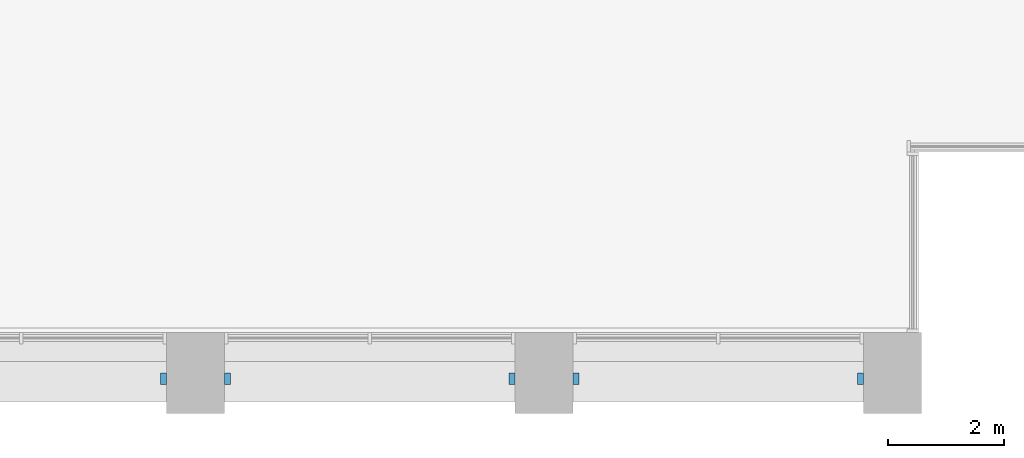
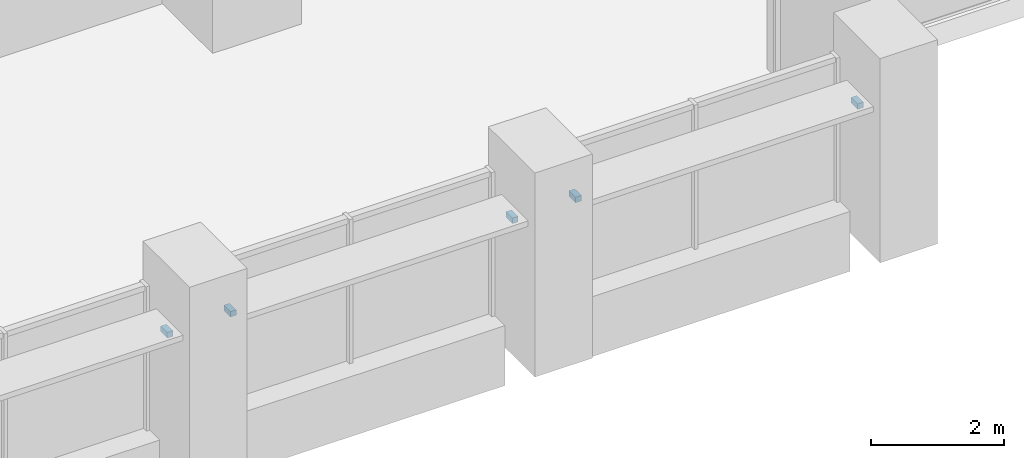
# One storey, part 16 of 17: 5 discrete accessories.
"""IFC4 building model written with IfcOpenShell, lengths in metres."""

from ifc_helpers import new_model, si_unit, direction, frame, origin, origin_2d, place, context, subcontext, project, spatial, rectangle, extrude, element, save


model = new_model("IFC4")

# Units and contexts
model_context = context("Model", 3, precision=1e-05, world=origin(), true_north=direction((0.0, 1.0)))
body_context = subcontext(model_context, "Body", "Model", "MODEL_VIEW")
ifc_project = project(units=[si_unit("LENGTHUNIT", "METRE"), si_unit("AREAUNIT", "SQUARE_METRE"), si_unit("VOLUMEUNIT", "CUBIC_METRE"), si_unit("PLANEANGLEUNIT", "RADIAN"), si_unit("MASSUNIT", "GRAM", prefix="KILO")], contexts=[model_context])

# Site, building, storey
site_placement = place(None, origin())
site = spatial("IfcSite", under=ifc_project, at=site_placement, CompositionType="ELEMENT")
building_placement = place(site_placement, origin())
building = spatial("IfcBuilding", under=site, at=building_placement, Name="Calvaro Tower", CompositionType="ELEMENT")
storey_placement = place(building_placement, frame((0.0, 0.0, 71.25)))
storey = spatial("IfcBuildingStorey", under=building, at=storey_placement, Name="L17", CompositionType="ELEMENT", Elevation=71.25)

# Discrete accessories
for number, where, z_axis, x_axis, name in (
    (1, (59.449951171875, 0.60009765625, 2.14990234375), (0.0, 0.0, 1.0), (1.0, 0.0, 0.0), "Brise-soleil bracket"),
    (2, (60.550048828125, 0.60009765625, 2.14990234375), (0.0, 0.0, 1.0), (1.0, 0.0, 0.0), "Brise-soleil bracket"),
    (3, (65.449951171875, 0.60009765625, 2.14990234375), (0.0, 0.0, 1.0), (1.0, 0.0, 0.0), "Brise-soleil bracket"),
    (4, (66.550048828125, 0.60009765625, 2.14990234375), (0.0, 0.0, 1.0), (1.0, 0.0, 0.0), "Brise-soleil bracket"),
    (5, (71.449951171875, 0.60009765625, 2.14990234375), (0.0, 0.0, 1.0), (1.0, 0.0, 0.0), "Brise-soleil bracket"),
):
    element("IfcDiscreteAccessory", number, at=place(storey_placement, frame(where, z_axis=z_axis, x_axis=x_axis)), inside=storey, Name=name, PredefinedType="BRACKET", context=body_context, shape_type="SweptSolid", body=[
        extrude(rectangle(XDim=0.10009765625, YDim=0.199951171875, at=origin_2d()), origin(), (0.0, 0.0, 1.0), 0.10009765625),
    ])

save(model, "model.ifc")
